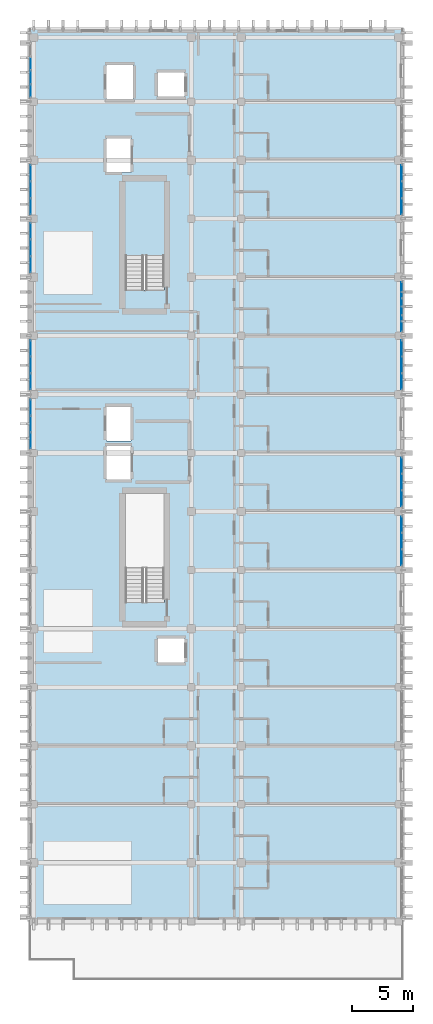
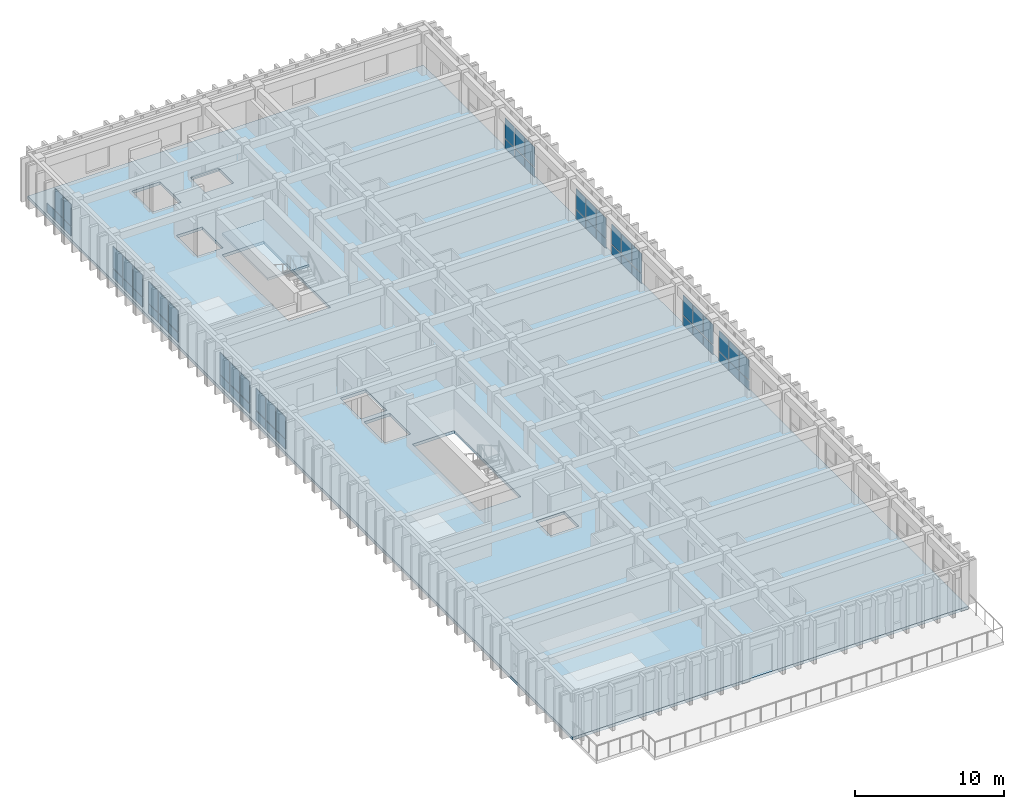
# One storey, part 42 of 53: 59 plates, 2 slabs, 11 elements without a shape of their own.
"""IFC4 building model written with IfcOpenShell, lengths in metres."""

from ifc_helpers import new_model, si_unit, direction, frame, origin, origin_2d, place, context, subcontext, project, spatial, polyline, rectangle, outline, extrude, material, layer, layer_set, type_object, element, aggregate, save


model = new_model("IFC4")

# Units and contexts
model_context = context("Model", 3, precision=1e-05, world=origin(), true_north=direction((0.0, 1.0)))
body_context = subcontext(model_context, "Body", "Model", "MODEL_VIEW")
ifc_project = project(units=[si_unit("LENGTHUNIT", "METRE"), si_unit("AREAUNIT", "SQUARE_METRE"), si_unit("VOLUMEUNIT", "CUBIC_METRE"), si_unit("PLANEANGLEUNIT", "RADIAN"), si_unit("MASSUNIT", "GRAM", prefix="KILO")], contexts=[model_context])

# Site, building, storey
site_placement = place(None, origin())
site = spatial("IfcSite", under=ifc_project, at=site_placement, CompositionType="ELEMENT")
building_placement = place(site_placement, origin())
building = spatial("IfcBuilding", under=site, at=building_placement, Name="Nakhvara Creek Congress Hotel", CompositionType="ELEMENT")
storey_placement = place(building_placement, frame((0.0, 0.0, 35.39990234375)))
storey = spatial("IfcBuildingStorey", under=building, at=storey_placement, Name="L08", CompositionType="ELEMENT", Elevation=35.39990234375)

# Curtain wall, plates
ifc_material_1 = material(Name="Bronze-anodised aluminium AW-6063-T6 and double-silver low-E glass", Category="aluminium")
ifc_layer_1 = layer(ifc_material_1, 0.199951171875)
ifc_layer_set_1 = layer_set([ifc_layer_1], Name="Bronze-anodised aluminium AW-6063-T6 and double-silver low-E glass")
curtain_wall_type = type_object("IfcCurtainWallType", Name="CW-HTL-UNIT", PredefinedType="USERDEFINED", material=ifc_layer_set_1)
curtain_wall_1_placement = place(storey_placement, origin())
curtain_wall_1 = element("IfcCurtainWall", 1, at=curtain_wall_1_placement, inside=storey, type_object=curtain_wall_type, Name="Curtain Wall CW283", ObjectType="UNITISED", PredefinedType="USERDEFINED")
ifc_material_2 = material(Name="Double-silver solar-control low-E insulated glass", Category="glass")
plate_type_1 = type_object("IfcPlateType", Name="PNL-GLZ-120X250", PredefinedType="CURTAIN_PANEL", material=ifc_material_2)
plate_1_placement = place(storey_placement, frame((179.60009765625, 85.34033203125, 0.065185546875), z_axis=(0.0, 0.0, 1.0), x_axis=(0.0, -1.0, 0.0)))
plate_1 = element("IfcPlate", 2, at=plate_1_placement, type_object=plate_type_1, Name="CW283 panel 1.1", PredefinedType="CURTAIN_PANEL", context=body_context, shape_type="SweptSolid", body=[
    extrude(rectangle(XDim=1.279052734375, YDim=0.028076171875, at=origin_2d()), origin(), (0.0, 0.0, 1.0), 0.75244140625),
])
plate_2_placement = place(storey_placement, frame((179.60009765625, 85.34033203125, 0.8828125), z_axis=(0.0, 0.0, 1.0), x_axis=(0.0, -1.0, 0.0)))
plate_2 = element("IfcPlate", 3, at=plate_2_placement, type_object=plate_type_1, Name="CW283 panel 1.2", PredefinedType="CURTAIN_PANEL", context=body_context, shape_type="SweptSolid", body=[
    extrude(rectangle(XDim=1.279052734375, YDim=0.028076171875, at=origin_2d()), origin(), (0.0, 0.0, 1.0), 1.654541015625),
])
plate_3_placement = place(storey_placement, frame((179.60009765625, 83.97998046875, 0.065185546875), z_axis=(0.0, 0.0, 1.0), x_axis=(0.0, -1.0, 0.0)))
plate_3 = element("IfcPlate", 4, at=plate_3_placement, type_object=plate_type_1, Name="CW283 panel 2.1", PredefinedType="CURTAIN_PANEL", context=body_context, shape_type="SweptSolid", body=[
    extrude(rectangle(XDim=1.311767578125, YDim=0.028076171875, at=origin_2d()), origin(), (0.0, 0.0, 1.0), 0.75244140625),
])
plate_4_placement = place(storey_placement, frame((179.60009765625, 83.97998046875, 0.8828125), z_axis=(0.0, 0.0, 1.0), x_axis=(0.0, -1.0, 0.0)))
plate_4 = element("IfcPlate", 5, at=plate_4_placement, type_object=plate_type_1, Name="CW283 panel 2.2", PredefinedType="CURTAIN_PANEL", context=body_context, shape_type="SweptSolid", body=[
    extrude(rectangle(XDim=1.311767578125, YDim=0.028076171875, at=origin_2d()), origin(), (0.0, 0.0, 1.0), 1.654541015625),
])
plate_5_placement = place(storey_placement, frame((179.60009765625, 82.61962890625, 0.065185546875), z_axis=(0.0, 0.0, 1.0), x_axis=(0.0, -1.0, 0.0)))
plate_5 = element("IfcPlate", 6, at=plate_5_placement, type_object=plate_type_1, Name="CW283 panel 3.1", PredefinedType="CURTAIN_PANEL", context=body_context, shape_type="SweptSolid", body=[
    extrude(rectangle(XDim=1.279052734375, YDim=0.028076171875, at=origin_2d()), origin(), (0.0, 0.0, 1.0), 0.75244140625),
])
plate_6_placement = place(storey_placement, frame((179.60009765625, 82.61962890625, 0.8828125), z_axis=(0.0, 0.0, 1.0), x_axis=(0.0, -1.0, 0.0)))
plate_6 = element("IfcPlate", 7, at=plate_6_placement, type_object=plate_type_1, Name="CW283 panel 3.2", PredefinedType="CURTAIN_PANEL", context=body_context, shape_type="SweptSolid", body=[
    extrude(rectangle(XDim=1.279052734375, YDim=0.028076171875, at=origin_2d()), origin(), (0.0, 0.0, 1.0), 1.654541015625),
])
aggregate(curtain_wall_1, [plate_1, plate_2, plate_3, plate_4, plate_5, plate_6])

curtain_wall_2_placement = place(storey_placement, origin())
curtain_wall_2 = element("IfcCurtainWall", 8, at=curtain_wall_2_placement, inside=storey, type_object=curtain_wall_type, Name="Curtain Wall CW285", ObjectType="UNITISED", PredefinedType="USERDEFINED")
plate_7_placement = place(storey_placement, frame((179.60009765625, 90.180419921875, 0.065185546875), z_axis=(0.0, 0.0, 1.0), x_axis=(0.0, -1.0, 0.0)))
plate_7 = element("IfcPlate", 9, at=plate_7_placement, type_object=plate_type_1, Name="CW285 panel 1.1", PredefinedType="CURTAIN_PANEL", context=body_context, shape_type="SweptSolid", body=[
    extrude(rectangle(XDim=1.279052734375, YDim=0.028076171875, at=origin_2d()), origin(), (0.0, 0.0, 1.0), 0.75244140625),
])
plate_8_placement = place(storey_placement, frame((179.60009765625, 90.180419921875, 0.8828125), z_axis=(0.0, 0.0, 1.0), x_axis=(0.0, -1.0, 0.0)))
plate_8 = element("IfcPlate", 10, at=plate_8_placement, type_object=plate_type_1, Name="CW285 panel 1.2", PredefinedType="CURTAIN_PANEL", context=body_context, shape_type="SweptSolid", body=[
    extrude(rectangle(XDim=1.279052734375, YDim=0.028076171875, at=origin_2d()), origin(), (0.0, 0.0, 1.0), 1.654541015625),
])
plate_9_placement = place(storey_placement, frame((179.60009765625, 88.820068359375, 0.065185546875), z_axis=(0.0, 0.0, 1.0), x_axis=(0.0, -1.0, 0.0)))
plate_9 = element("IfcPlate", 11, at=plate_9_placement, type_object=plate_type_1, Name="CW285 panel 2.1", PredefinedType="CURTAIN_PANEL", context=body_context, shape_type="SweptSolid", body=[
    extrude(rectangle(XDim=1.311767578125, YDim=0.028076171875, at=origin_2d()), origin(), (0.0, 0.0, 1.0), 0.75244140625),
])
plate_10_placement = place(storey_placement, frame((179.60009765625, 88.820068359375, 0.8828125), z_axis=(0.0, 0.0, 1.0), x_axis=(0.0, -1.0, 0.0)))
plate_10 = element("IfcPlate", 12, at=plate_10_placement, type_object=plate_type_1, Name="CW285 panel 2.2", PredefinedType="CURTAIN_PANEL", context=body_context, shape_type="SweptSolid", body=[
    extrude(rectangle(XDim=1.311767578125, YDim=0.028076171875, at=origin_2d()), origin(), (0.0, 0.0, 1.0), 1.654541015625),
])
plate_11_placement = place(storey_placement, frame((179.60009765625, 87.45947265625, 0.065185546875), z_axis=(0.0, 0.0, 1.0), x_axis=(0.0, -1.0, 0.0)))
plate_11 = element("IfcPlate", 13, at=plate_11_placement, type_object=plate_type_1, Name="CW285 panel 3.1", PredefinedType="CURTAIN_PANEL", context=body_context, shape_type="SweptSolid", body=[
    extrude(rectangle(XDim=1.279052734375, YDim=0.028076171875, at=origin_2d()), origin(), (0.0, 0.0, 1.0), 0.75244140625),
])
plate_12_placement = place(storey_placement, frame((179.60009765625, 87.45947265625, 0.8828125), z_axis=(0.0, 0.0, 1.0), x_axis=(0.0, -1.0, 0.0)))
plate_12 = element("IfcPlate", 14, at=plate_12_placement, type_object=plate_type_1, Name="CW285 panel 3.2", PredefinedType="CURTAIN_PANEL", context=body_context, shape_type="SweptSolid", body=[
    extrude(rectangle(XDim=1.279052734375, YDim=0.028076171875, at=origin_2d()), origin(), (0.0, 0.0, 1.0), 1.654541015625),
])
aggregate(curtain_wall_2, [plate_7, plate_8, plate_9, plate_10, plate_11, plate_12])

curtain_wall_3_placement = place(storey_placement, origin())
curtain_wall_3 = element("IfcCurtainWall", 15, at=curtain_wall_3_placement, inside=storey, type_object=curtain_wall_type, Name="Curtain Wall CW286", ObjectType="UNITISED", PredefinedType="USERDEFINED")
plate_13_placement = place(storey_placement, frame((149.199951171875, 92.219482421875, 0.065185546875), z_axis=(0.0, 0.0, 1.0), x_axis=(0.0, 1.0, 0.0)))
plate_13 = element("IfcPlate", 16, at=plate_13_placement, type_object=plate_type_1, Name="CW286 panel 1.1", PredefinedType="CURTAIN_PANEL", context=body_context, shape_type="SweptSolid", body=[
    extrude(rectangle(XDim=1.279052734375, YDim=0.028076171875, at=origin_2d()), origin(), (0.0, 0.0, 1.0), 0.75244140625),
])
plate_14_placement = place(storey_placement, frame((149.199951171875, 92.219482421875, 0.8828125), z_axis=(0.0, 0.0, 1.0), x_axis=(0.0, 1.0, 0.0)))
plate_14 = element("IfcPlate", 17, at=plate_14_placement, type_object=plate_type_1, Name="CW286 panel 1.2", PredefinedType="CURTAIN_PANEL", context=body_context, shape_type="SweptSolid", body=[
    extrude(rectangle(XDim=1.279052734375, YDim=0.028076171875, at=origin_2d()), origin(), (0.0, 0.0, 1.0), 1.784423828125),
])
plate_15_placement = place(storey_placement, frame((149.199951171875, 93.580078125, 0.065185546875), z_axis=(0.0, 0.0, 1.0), x_axis=(0.0, 1.0, 0.0)))
plate_15 = element("IfcPlate", 18, at=plate_15_placement, type_object=plate_type_1, Name="CW286 panel 2.1", PredefinedType="CURTAIN_PANEL", context=body_context, shape_type="SweptSolid", body=[
    extrude(rectangle(XDim=1.311767578125, YDim=0.028076171875, at=origin_2d()), origin(), (0.0, 0.0, 1.0), 0.75244140625),
])
plate_16_placement = place(storey_placement, frame((149.199951171875, 93.580078125, 0.8828125), z_axis=(0.0, 0.0, 1.0), x_axis=(0.0, 1.0, 0.0)))
plate_16 = element("IfcPlate", 19, at=plate_16_placement, type_object=plate_type_1, Name="CW286 panel 2.2", PredefinedType="CURTAIN_PANEL", context=body_context, shape_type="SweptSolid", body=[
    extrude(rectangle(XDim=1.311767578125, YDim=0.028076171875, at=origin_2d()), origin(), (0.0, 0.0, 1.0), 1.784423828125),
])
plate_17_placement = place(storey_placement, frame((149.199951171875, 94.9404296875, 0.065185546875), z_axis=(0.0, 0.0, 1.0), x_axis=(0.0, 1.0, 0.0)))
plate_17 = element("IfcPlate", 20, at=plate_17_placement, type_object=plate_type_1, Name="CW286 panel 3.1", PredefinedType="CURTAIN_PANEL", context=body_context, shape_type="SweptSolid", body=[
    extrude(rectangle(XDim=1.279052734375, YDim=0.028076171875, at=origin_2d()), origin(), (0.0, 0.0, 1.0), 0.75244140625),
])
plate_18_placement = place(storey_placement, frame((149.199951171875, 94.9404296875, 0.8828125), z_axis=(0.0, 0.0, 1.0), x_axis=(0.0, 1.0, 0.0)))
plate_18 = element("IfcPlate", 21, at=plate_18_placement, type_object=plate_type_1, Name="CW286 panel 3.2", PredefinedType="CURTAIN_PANEL", context=body_context, shape_type="SweptSolid", body=[
    extrude(rectangle(XDim=1.279052734375, YDim=0.028076171875, at=origin_2d()), origin(), (0.0, 0.0, 1.0), 1.784423828125),
])
aggregate(curtain_wall_3, [plate_13, plate_14, plate_15, plate_16, plate_17, plate_18])

curtain_wall_4_placement = place(storey_placement, origin())
curtain_wall_4 = element("IfcCurtainWall", 22, at=curtain_wall_4_placement, inside=storey, type_object=curtain_wall_type, Name="Curtain Wall CW287", ObjectType="UNITISED", PredefinedType="USERDEFINED")
plate_19_placement = place(storey_placement, frame((179.60009765625, 99.780517578125, 0.065185546875), z_axis=(0.0, 0.0, 1.0), x_axis=(0.0, -1.0, 0.0)))
plate_19 = element("IfcPlate", 23, at=plate_19_placement, type_object=plate_type_1, Name="CW287 panel 1.1", PredefinedType="CURTAIN_PANEL", context=body_context, shape_type="SweptSolid", body=[
    extrude(rectangle(XDim=1.279052734375, YDim=0.028076171875, at=origin_2d()), origin(), (0.0, 0.0, 1.0), 0.75244140625),
])
plate_20_placement = place(storey_placement, frame((179.60009765625, 99.780517578125, 0.8828125), z_axis=(0.0, 0.0, 1.0), x_axis=(0.0, -1.0, 0.0)))
plate_20 = element("IfcPlate", 24, at=plate_20_placement, type_object=plate_type_1, Name="CW287 panel 1.2", PredefinedType="CURTAIN_PANEL", context=body_context, shape_type="SweptSolid", body=[
    extrude(rectangle(XDim=1.279052734375, YDim=0.028076171875, at=origin_2d()), origin(), (0.0, 0.0, 1.0), 1.654541015625),
])
plate_21_placement = place(storey_placement, frame((179.60009765625, 98.419921875, 0.065185546875), z_axis=(0.0, 0.0, 1.0), x_axis=(0.0, -1.0, 0.0)))
plate_21 = element("IfcPlate", 25, at=plate_21_placement, type_object=plate_type_1, Name="CW287 panel 2.1", PredefinedType="CURTAIN_PANEL", context=body_context, shape_type="SweptSolid", body=[
    extrude(rectangle(XDim=1.311767578125, YDim=0.028076171875, at=origin_2d()), origin(), (0.0, 0.0, 1.0), 0.75244140625),
])
plate_22_placement = place(storey_placement, frame((179.60009765625, 98.419921875, 0.8828125), z_axis=(0.0, 0.0, 1.0), x_axis=(0.0, -1.0, 0.0)))
plate_22 = element("IfcPlate", 26, at=plate_22_placement, type_object=plate_type_1, Name="CW287 panel 2.2", PredefinedType="CURTAIN_PANEL", context=body_context, shape_type="SweptSolid", body=[
    extrude(rectangle(XDim=1.311767578125, YDim=0.028076171875, at=origin_2d()), origin(), (0.0, 0.0, 1.0), 1.654541015625),
])
plate_23_placement = place(storey_placement, frame((179.60009765625, 97.0595703125, 0.065185546875), z_axis=(0.0, 0.0, 1.0), x_axis=(0.0, -1.0, 0.0)))
plate_23 = element("IfcPlate", 27, at=plate_23_placement, type_object=plate_type_1, Name="CW287 panel 3.1", PredefinedType="CURTAIN_PANEL", context=body_context, shape_type="SweptSolid", body=[
    extrude(rectangle(XDim=1.279052734375, YDim=0.028076171875, at=origin_2d()), origin(), (0.0, 0.0, 1.0), 0.75244140625),
])
plate_24_placement = place(storey_placement, frame((179.60009765625, 97.0595703125, 0.8828125), z_axis=(0.0, 0.0, 1.0), x_axis=(0.0, -1.0, 0.0)))
plate_24 = element("IfcPlate", 28, at=plate_24_placement, type_object=plate_type_1, Name="CW287 panel 3.2", PredefinedType="CURTAIN_PANEL", context=body_context, shape_type="SweptSolid", body=[
    extrude(rectangle(XDim=1.279052734375, YDim=0.028076171875, at=origin_2d()), origin(), (0.0, 0.0, 1.0), 1.654541015625),
])
aggregate(curtain_wall_4, [plate_19, plate_20, plate_21, plate_22, plate_23, plate_24])

curtain_wall_5_placement = place(storey_placement, origin())
curtain_wall_5 = element("IfcCurtainWall", 29, at=curtain_wall_5_placement, inside=storey, type_object=curtain_wall_type, Name="Curtain Wall CW288", ObjectType="UNITISED", PredefinedType="USERDEFINED")
plate_25_placement = place(storey_placement, frame((149.199951171875, 97.0595703125, 0.065185546875), z_axis=(0.0, 0.0, 1.0), x_axis=(0.0, 1.0, 0.0)))
plate_25 = element("IfcPlate", 30, at=plate_25_placement, type_object=plate_type_1, Name="CW288 panel 1.1", PredefinedType="CURTAIN_PANEL", context=body_context, shape_type="SweptSolid", body=[
    extrude(rectangle(XDim=1.279052734375, YDim=0.028076171875, at=origin_2d()), origin(), (0.0, 0.0, 1.0), 0.75244140625),
])
plate_26_placement = place(storey_placement, frame((149.199951171875, 97.0595703125, 0.8828125), z_axis=(0.0, 0.0, 1.0), x_axis=(0.0, 1.0, 0.0)))
plate_26 = element("IfcPlate", 31, at=plate_26_placement, type_object=plate_type_1, Name="CW288 panel 1.2", PredefinedType="CURTAIN_PANEL", context=body_context, shape_type="SweptSolid", body=[
    extrude(rectangle(XDim=1.279052734375, YDim=0.028076171875, at=origin_2d()), origin(), (0.0, 0.0, 1.0), 1.784423828125),
])
plate_27_placement = place(storey_placement, frame((149.199951171875, 98.419921875, 0.065185546875), z_axis=(0.0, 0.0, 1.0), x_axis=(0.0, 1.0, 0.0)))
plate_27 = element("IfcPlate", 32, at=plate_27_placement, type_object=plate_type_1, Name="CW288 panel 2.1", PredefinedType="CURTAIN_PANEL", context=body_context, shape_type="SweptSolid", body=[
    extrude(rectangle(XDim=1.311767578125, YDim=0.028076171875, at=origin_2d()), origin(), (0.0, 0.0, 1.0), 0.75244140625),
])
plate_28_placement = place(storey_placement, frame((149.199951171875, 98.419921875, 0.8828125), z_axis=(0.0, 0.0, 1.0), x_axis=(0.0, 1.0, 0.0)))
plate_28 = element("IfcPlate", 33, at=plate_28_placement, type_object=plate_type_1, Name="CW288 panel 2.2", PredefinedType="CURTAIN_PANEL", context=body_context, shape_type="SweptSolid", body=[
    extrude(rectangle(XDim=1.311767578125, YDim=0.028076171875, at=origin_2d()), origin(), (0.0, 0.0, 1.0), 1.784423828125),
])
plate_29_placement = place(storey_placement, frame((149.199951171875, 99.780517578125, 0.065185546875), z_axis=(0.0, 0.0, 1.0), x_axis=(0.0, 1.0, 0.0)))
plate_29 = element("IfcPlate", 34, at=plate_29_placement, type_object=plate_type_1, Name="CW288 panel 3.1", PredefinedType="CURTAIN_PANEL", context=body_context, shape_type="SweptSolid", body=[
    extrude(rectangle(XDim=1.279052734375, YDim=0.028076171875, at=origin_2d()), origin(), (0.0, 0.0, 1.0), 0.75244140625),
])
plate_30_placement = place(storey_placement, frame((149.199951171875, 99.780517578125, 0.8828125), z_axis=(0.0, 0.0, 1.0), x_axis=(0.0, 1.0, 0.0)))
plate_30 = element("IfcPlate", 35, at=plate_30_placement, type_object=plate_type_1, Name="CW288 panel 3.2", PredefinedType="CURTAIN_PANEL", context=body_context, shape_type="SweptSolid", body=[
    extrude(rectangle(XDim=1.279052734375, YDim=0.028076171875, at=origin_2d()), origin(), (0.0, 0.0, 1.0), 1.784423828125),
])
aggregate(curtain_wall_5, [plate_25, plate_26, plate_27, plate_28, plate_29, plate_30])

curtain_wall_6_placement = place(storey_placement, origin())
curtain_wall_6 = element("IfcCurtainWall", 36, at=curtain_wall_6_placement, inside=storey, type_object=curtain_wall_type, Name="Curtain Wall CW290", ObjectType="UNITISED", PredefinedType="USERDEFINED")
plate_31_placement = place(storey_placement, frame((149.199951171875, 106.65966796875, 0.065185546875), z_axis=(0.0, 0.0, 1.0), x_axis=(0.0, 1.0, 0.0)))
plate_31 = element("IfcPlate", 37, at=plate_31_placement, type_object=plate_type_1, Name="CW290 panel 1.1", PredefinedType="CURTAIN_PANEL", context=body_context, shape_type="SweptSolid", body=[
    extrude(rectangle(XDim=1.279052734375, YDim=0.028076171875, at=origin_2d()), origin(), (0.0, 0.0, 1.0), 0.75244140625),
])
plate_32_placement = place(storey_placement, frame((149.199951171875, 106.65966796875, 0.8828125), z_axis=(0.0, 0.0, 1.0), x_axis=(0.0, 1.0, 0.0)))
plate_32 = element("IfcPlate", 38, at=plate_32_placement, type_object=plate_type_1, Name="CW290 panel 1.2", PredefinedType="CURTAIN_PANEL", context=body_context, shape_type="SweptSolid", body=[
    extrude(rectangle(XDim=1.279052734375, YDim=0.028076171875, at=origin_2d()), origin(), (0.0, 0.0, 1.0), 1.784423828125),
])
plate_33_placement = place(storey_placement, frame((149.199951171875, 108.02001953125, 0.065185546875), z_axis=(0.0, 0.0, 1.0), x_axis=(0.0, 1.0, 0.0)))
plate_33 = element("IfcPlate", 39, at=plate_33_placement, type_object=plate_type_1, Name="CW290 panel 2.1", PredefinedType="CURTAIN_PANEL", context=body_context, shape_type="SweptSolid", body=[
    extrude(rectangle(XDim=1.311767578125, YDim=0.028076171875, at=origin_2d()), origin(), (0.0, 0.0, 1.0), 0.75244140625),
])
plate_34_placement = place(storey_placement, frame((149.199951171875, 108.02001953125, 0.8828125), z_axis=(0.0, 0.0, 1.0), x_axis=(0.0, 1.0, 0.0)))
plate_34 = element("IfcPlate", 40, at=plate_34_placement, type_object=plate_type_1, Name="CW290 panel 2.2", PredefinedType="CURTAIN_PANEL", context=body_context, shape_type="SweptSolid", body=[
    extrude(rectangle(XDim=1.311767578125, YDim=0.028076171875, at=origin_2d()), origin(), (0.0, 0.0, 1.0), 1.784423828125),
])
plate_35_placement = place(storey_placement, frame((149.199951171875, 109.38037109375, 0.065185546875), z_axis=(0.0, 0.0, 1.0), x_axis=(0.0, 1.0, 0.0)))
plate_35 = element("IfcPlate", 41, at=plate_35_placement, type_object=plate_type_1, Name="CW290 panel 3.1", PredefinedType="CURTAIN_PANEL", context=body_context, shape_type="SweptSolid", body=[
    extrude(rectangle(XDim=1.279052734375, YDim=0.028076171875, at=origin_2d()), origin(), (0.0, 0.0, 1.0), 0.75244140625),
])
plate_36_placement = place(storey_placement, frame((149.199951171875, 109.38037109375, 0.8828125), z_axis=(0.0, 0.0, 1.0), x_axis=(0.0, 1.0, 0.0)))
plate_36 = element("IfcPlate", 42, at=plate_36_placement, type_object=plate_type_1, Name="CW290 panel 3.2", PredefinedType="CURTAIN_PANEL", context=body_context, shape_type="SweptSolid", body=[
    extrude(rectangle(XDim=1.279052734375, YDim=0.028076171875, at=origin_2d()), origin(), (0.0, 0.0, 1.0), 1.784423828125),
])
aggregate(curtain_wall_6, [plate_31, plate_32, plate_33, plate_34, plate_35, plate_36])

curtain_wall_7_placement = place(storey_placement, origin())
curtain_wall_7 = element("IfcCurtainWall", 43, at=curtain_wall_7_placement, inside=storey, type_object=curtain_wall_type, Name="Curtain Wall CW291", ObjectType="UNITISED", PredefinedType="USERDEFINED")
plate_37_placement = place(storey_placement, frame((179.60009765625, 114.140380859375, 0.065185546875), z_axis=(0.0, 0.0, 1.0), x_axis=(0.0, -1.0, 0.0)))
plate_37 = element("IfcPlate", 44, at=plate_37_placement, type_object=plate_type_1, Name="CW291 panel 1.1", PredefinedType="CURTAIN_PANEL", context=body_context, shape_type="SweptSolid", body=[
    extrude(rectangle(XDim=1.279052734375, YDim=0.028076171875, at=origin_2d()), origin(), (0.0, 0.0, 1.0), 0.75244140625),
])
plate_38_placement = place(storey_placement, frame((179.60009765625, 114.140380859375, 0.8828125), z_axis=(0.0, 0.0, 1.0), x_axis=(0.0, -1.0, 0.0)))
plate_38 = element("IfcPlate", 45, at=plate_38_placement, type_object=plate_type_1, Name="CW291 panel 1.2", PredefinedType="CURTAIN_PANEL", context=body_context, shape_type="SweptSolid", body=[
    extrude(rectangle(XDim=1.279052734375, YDim=0.028076171875, at=origin_2d()), origin(), (0.0, 0.0, 1.0), 1.654541015625),
])
plate_39_placement = place(storey_placement, frame((179.60009765625, 112.780029296875, 0.065185546875), z_axis=(0.0, 0.0, 1.0), x_axis=(0.0, -1.0, 0.0)))
plate_39 = element("IfcPlate", 46, at=plate_39_placement, type_object=plate_type_1, Name="CW291 panel 2.1", PredefinedType="CURTAIN_PANEL", context=body_context, shape_type="SweptSolid", body=[
    extrude(rectangle(XDim=1.311767578125, YDim=0.028076171875, at=origin_2d()), origin(), (0.0, 0.0, 1.0), 0.75244140625),
])
plate_40_placement = place(storey_placement, frame((179.60009765625, 112.780029296875, 0.8828125), z_axis=(0.0, 0.0, 1.0), x_axis=(0.0, -1.0, 0.0)))
plate_40 = element("IfcPlate", 47, at=plate_40_placement, type_object=plate_type_1, Name="CW291 panel 2.2", PredefinedType="CURTAIN_PANEL", context=body_context, shape_type="SweptSolid", body=[
    extrude(rectangle(XDim=1.311767578125, YDim=0.028076171875, at=origin_2d()), origin(), (0.0, 0.0, 1.0), 1.654541015625),
])
plate_41_placement = place(storey_placement, frame((179.60009765625, 111.419677734375, 0.065185546875), z_axis=(0.0, 0.0, 1.0), x_axis=(0.0, -1.0, 0.0)))
plate_41 = element("IfcPlate", 48, at=plate_41_placement, type_object=plate_type_1, Name="CW291 panel 3.1", PredefinedType="CURTAIN_PANEL", context=body_context, shape_type="SweptSolid", body=[
    extrude(rectangle(XDim=1.279052734375, YDim=0.028076171875, at=origin_2d()), origin(), (0.0, 0.0, 1.0), 0.75244140625),
])
plate_42_placement = place(storey_placement, frame((179.60009765625, 111.419677734375, 0.8828125), z_axis=(0.0, 0.0, 1.0), x_axis=(0.0, -1.0, 0.0)))
plate_42 = element("IfcPlate", 49, at=plate_42_placement, type_object=plate_type_1, Name="CW291 panel 3.2", PredefinedType="CURTAIN_PANEL", context=body_context, shape_type="SweptSolid", body=[
    extrude(rectangle(XDim=1.279052734375, YDim=0.028076171875, at=origin_2d()), origin(), (0.0, 0.0, 1.0), 1.654541015625),
])
aggregate(curtain_wall_7, [plate_37, plate_38, plate_39, plate_40, plate_41, plate_42])

curtain_wall_8_placement = place(storey_placement, origin())
curtain_wall_8 = element("IfcCurtainWall", 50, at=curtain_wall_8_placement, inside=storey, type_object=curtain_wall_type, Name="Curtain Wall CW292", ObjectType="UNITISED", PredefinedType="USERDEFINED")
plate_43_placement = place(storey_placement, frame((149.199951171875, 111.419677734375, 0.065185546875), z_axis=(0.0, 0.0, 1.0), x_axis=(0.0, 1.0, 0.0)))
plate_43 = element("IfcPlate", 51, at=plate_43_placement, type_object=plate_type_1, Name="CW292 panel 1.1", PredefinedType="CURTAIN_PANEL", context=body_context, shape_type="SweptSolid", body=[
    extrude(rectangle(XDim=1.279052734375, YDim=0.028076171875, at=origin_2d()), origin(), (0.0, 0.0, 1.0), 0.75244140625),
])
plate_44_placement = place(storey_placement, frame((149.199951171875, 111.419677734375, 0.8828125), z_axis=(0.0, 0.0, 1.0), x_axis=(0.0, 1.0, 0.0)))
plate_44 = element("IfcPlate", 52, at=plate_44_placement, type_object=plate_type_1, Name="CW292 panel 1.2", PredefinedType="CURTAIN_PANEL", context=body_context, shape_type="SweptSolid", body=[
    extrude(rectangle(XDim=1.279052734375, YDim=0.028076171875, at=origin_2d()), origin(), (0.0, 0.0, 1.0), 1.784423828125),
])
plate_45_placement = place(storey_placement, frame((149.199951171875, 112.780029296875, 0.065185546875), z_axis=(0.0, 0.0, 1.0), x_axis=(0.0, 1.0, 0.0)))
plate_45 = element("IfcPlate", 53, at=plate_45_placement, type_object=plate_type_1, Name="CW292 panel 2.1", PredefinedType="CURTAIN_PANEL", context=body_context, shape_type="SweptSolid", body=[
    extrude(rectangle(XDim=1.311767578125, YDim=0.028076171875, at=origin_2d()), origin(), (0.0, 0.0, 1.0), 0.75244140625),
])
plate_46_placement = place(storey_placement, frame((149.199951171875, 112.780029296875, 0.8828125), z_axis=(0.0, 0.0, 1.0), x_axis=(0.0, 1.0, 0.0)))
plate_46 = element("IfcPlate", 54, at=plate_46_placement, type_object=plate_type_1, Name="CW292 panel 2.2", PredefinedType="CURTAIN_PANEL", context=body_context, shape_type="SweptSolid", body=[
    extrude(rectangle(XDim=1.311767578125, YDim=0.028076171875, at=origin_2d()), origin(), (0.0, 0.0, 1.0), 1.784423828125),
])
plate_47_placement = place(storey_placement, frame((149.199951171875, 114.140380859375, 0.065185546875), z_axis=(0.0, 0.0, 1.0), x_axis=(0.0, 1.0, 0.0)))
plate_47 = element("IfcPlate", 55, at=plate_47_placement, type_object=plate_type_1, Name="CW292 panel 3.1", PredefinedType="CURTAIN_PANEL", context=body_context, shape_type="SweptSolid", body=[
    extrude(rectangle(XDim=1.279052734375, YDim=0.028076171875, at=origin_2d()), origin(), (0.0, 0.0, 1.0), 0.75244140625),
])
plate_48_placement = place(storey_placement, frame((149.199951171875, 114.140380859375, 0.8828125), z_axis=(0.0, 0.0, 1.0), x_axis=(0.0, 1.0, 0.0)))
plate_48 = element("IfcPlate", 56, at=plate_48_placement, type_object=plate_type_1, Name="CW292 panel 3.2", PredefinedType="CURTAIN_PANEL", context=body_context, shape_type="SweptSolid", body=[
    extrude(rectangle(XDim=1.279052734375, YDim=0.028076171875, at=origin_2d()), origin(), (0.0, 0.0, 1.0), 1.784423828125),
])
aggregate(curtain_wall_8, [plate_43, plate_44, plate_45, plate_46, plate_47, plate_48])

curtain_wall_9_placement = place(storey_placement, origin())
curtain_wall_9 = element("IfcCurtainWall", 57, at=curtain_wall_9_placement, inside=storey, type_object=curtain_wall_type, Name="Curtain Wall CW294", ObjectType="UNITISED", PredefinedType="USERDEFINED")
plate_49_placement = place(storey_placement, frame((149.199951171875, 120.891845703125, 0.065185546875), z_axis=(0.0, 0.0, 1.0), x_axis=(0.0, 1.0, 0.0)))
plate_49 = element("IfcPlate", 58, at=plate_49_placement, type_object=plate_type_1, Name="CW294 panel 1.1", PredefinedType="CURTAIN_PANEL", context=body_context, shape_type="SweptSolid", body=[
    extrude(rectangle(XDim=1.023681640625, YDim=0.028076171875, at=origin_2d()), origin(), (0.0, 0.0, 1.0), 0.75244140625),
])
plate_50_placement = place(storey_placement, frame((149.199951171875, 120.891845703125, 0.8828125), z_axis=(0.0, 0.0, 1.0), x_axis=(0.0, 1.0, 0.0)))
plate_50 = element("IfcPlate", 59, at=plate_50_placement, type_object=plate_type_1, Name="CW294 panel 1.2", PredefinedType="CURTAIN_PANEL", context=body_context, shape_type="SweptSolid", body=[
    extrude(rectangle(XDim=1.023681640625, YDim=0.028076171875, at=origin_2d()), origin(), (0.0, 0.0, 1.0), 1.784423828125),
])
plate_51_placement = place(storey_placement, frame((149.199951171875, 121.996826171875, 0.065185546875), z_axis=(0.0, 0.0, 1.0), x_axis=(0.0, 1.0, 0.0)))
plate_51 = element("IfcPlate", 60, at=plate_51_placement, type_object=plate_type_1, Name="CW294 panel 2.1", PredefinedType="CURTAIN_PANEL", context=body_context, shape_type="SweptSolid", body=[
    extrude(rectangle(XDim=1.05615234375, YDim=0.028076171875, at=origin_2d()), origin(), (0.0, 0.0, 1.0), 0.75244140625),
])
plate_52_placement = place(storey_placement, frame((149.199951171875, 121.996826171875, 0.8828125), z_axis=(0.0, 0.0, 1.0), x_axis=(0.0, 1.0, 0.0)))
plate_52 = element("IfcPlate", 61, at=plate_52_placement, type_object=plate_type_1, Name="CW294 panel 2.2", PredefinedType="CURTAIN_PANEL", context=body_context, shape_type="SweptSolid", body=[
    extrude(rectangle(XDim=1.05615234375, YDim=0.028076171875, at=origin_2d()), origin(), (0.0, 0.0, 1.0), 1.784423828125),
])
plate_53_placement = place(storey_placement, frame((149.199951171875, 123.1181640625, 0.065185546875), z_axis=(0.0, 0.0, 1.0), x_axis=(0.0, 1.0, 0.0)))
plate_53 = element("IfcPlate", 62, at=plate_53_placement, type_object=plate_type_1, Name="CW294 panel 3.1", PredefinedType="CURTAIN_PANEL", context=body_context, shape_type="SweptSolid", body=[
    extrude(rectangle(XDim=1.05615234375, YDim=0.028076171875, at=origin_2d()), origin(), (0.0, 0.0, 1.0), 0.75244140625),
])
aggregate(curtain_wall_9, [plate_49, plate_50, plate_51, plate_52, plate_53])

curtain_wall_10_placement = place(storey_placement, origin())
curtain_wall_10 = element("IfcCurtainWall", 63, at=curtain_wall_10_placement, inside=storey, type_object=curtain_wall_type, Name="Curtain Wall CW289", ObjectType="UNITISED", PredefinedType="USERDEFINED")
ifc_material_3 = material(Name="Back-insulated bronze spandrel glass panel", Category="glass")
plate_type_2 = type_object("IfcPlateType", Name="PNL-SPN-120X080", PredefinedType="CURTAIN_PANEL", material=ifc_material_3)
plate_54_placement = place(storey_placement, frame((179.60009765625, 104.54052734375, 0.065185546875), z_axis=(0.0, 0.0, 1.0), x_axis=(0.0, -1.0, 0.0)))
plate_54 = element("IfcPlate", 64, at=plate_54_placement, type_object=plate_type_2, Name="CW289 panel 1.1", PredefinedType="CURTAIN_PANEL", context=body_context, shape_type="SweptSolid", body=[
    extrude(rectangle(XDim=1.279052734375, YDim=0.0419921875, at=origin_2d()), origin(), (0.0, 0.0, 1.0), 0.75244140625),
])
plate_55_placement = place(storey_placement, frame((179.60009765625, 104.54052734375, 0.8828125), z_axis=(0.0, 0.0, 1.0), x_axis=(0.0, -1.0, 0.0)))
plate_55 = element("IfcPlate", 65, at=plate_55_placement, type_object=plate_type_2, Name="CW289 panel 1.2", PredefinedType="CURTAIN_PANEL", context=body_context, shape_type="SweptSolid", body=[
    extrude(rectangle(XDim=1.279052734375, YDim=0.0419921875, at=origin_2d()), origin(), (0.0, 0.0, 1.0), 1.654541015625),
])
plate_56_placement = place(storey_placement, frame((179.60009765625, 103.179931640625, 0.065185546875), z_axis=(0.0, 0.0, 1.0), x_axis=(0.0, -1.0, 0.0)))
plate_56 = element("IfcPlate", 66, at=plate_56_placement, type_object=plate_type_2, Name="CW289 panel 2.1", PredefinedType="CURTAIN_PANEL", context=body_context, shape_type="SweptSolid", body=[
    extrude(rectangle(XDim=1.311767578125, YDim=0.0419921875, at=origin_2d()), origin(), (0.0, 0.0, 1.0), 0.75244140625),
])
plate_57_placement = place(storey_placement, frame((179.60009765625, 103.179931640625, 0.8828125), z_axis=(0.0, 0.0, 1.0), x_axis=(0.0, -1.0, 0.0)))
plate_57 = element("IfcPlate", 67, at=plate_57_placement, type_object=plate_type_2, Name="CW289 panel 2.2", PredefinedType="CURTAIN_PANEL", context=body_context, shape_type="SweptSolid", body=[
    extrude(rectangle(XDim=1.311767578125, YDim=0.0419921875, at=origin_2d()), origin(), (0.0, 0.0, 1.0), 1.654541015625),
])
plate_58_placement = place(storey_placement, frame((179.60009765625, 101.819580078125, 0.065185546875), z_axis=(0.0, 0.0, 1.0), x_axis=(0.0, -1.0, 0.0)))
plate_58 = element("IfcPlate", 68, at=plate_58_placement, type_object=plate_type_2, Name="CW289 panel 3.1", PredefinedType="CURTAIN_PANEL", context=body_context, shape_type="SweptSolid", body=[
    extrude(rectangle(XDim=1.279052734375, YDim=0.0419921875, at=origin_2d()), origin(), (0.0, 0.0, 1.0), 0.75244140625),
])
plate_59_placement = place(storey_placement, frame((179.60009765625, 101.819580078125, 0.8828125), z_axis=(0.0, 0.0, 1.0), x_axis=(0.0, -1.0, 0.0)))
plate_59 = element("IfcPlate", 69, at=plate_59_placement, type_object=plate_type_2, Name="CW289 panel 3.2", PredefinedType="CURTAIN_PANEL", context=body_context, shape_type="SweptSolid", body=[
    extrude(rectangle(XDim=1.279052734375, YDim=0.0419921875, at=origin_2d()), origin(), (0.0, 0.0, 1.0), 1.654541015625),
])
aggregate(curtain_wall_10, [plate_54, plate_55, plate_56, plate_57, plate_58, plate_59])

# Slab
ifc_material_4 = material(Name="Concrete C40/50", Category="concrete")
ifc_layer_2 = layer(ifc_material_4, 0.239990234375)
ifc_layer_set_2 = layer_set([ifc_layer_2], Name="Concrete C40/50")
slab_type_1 = type_object("IfcSlabType", Name="SL-FLR-240", PredefinedType="FLOOR", material=ifc_layer_set_2)
slab_1_placement = place(storey_placement, frame((0.0, 0.0, -0.239990234375)))
element("IfcSlab", 70, at=slab_1_placement, inside=storey, type_object=slab_type_1, Name="Structural Slab SLB-L08-V5", PredefinedType="FLOOR", context=body_context, shape_type="SweptSolid", body=[
    extrude(outline(polyline([(149.050048828125, 126.0), (179.75, 126.0), (179.75, 52.800048828125), (149.050048828125, 52.800048828125), (149.050048828125, 126.0)]), holes=[polyline([(161.800048828125, 74.0), (161.800048828125, 76.0), (159.60009765625, 76.0), (159.60009765625, 74.0), (161.800048828125, 74.0)]), polyline([(160.14990234375, 87.89990234375), (156.919921875, 87.89990234375), (156.919921875, 78.93994140625), (160.14990234375, 78.93994140625), (160.14990234375, 87.89990234375)]), polyline([(157.39990234375, 89.0), (157.39990234375, 91.800048828125), (155.39990234375, 91.800048828125), (155.39990234375, 89.0), (157.39990234375, 89.0)]), polyline([(157.39990234375, 92.199951171875), (157.39990234375, 95.0), (155.39990234375, 95.0), (155.39990234375, 92.199951171875), (157.39990234375, 92.199951171875)]), polyline([(160.14990234375, 113.5), (156.919921875, 113.5), (156.919921875, 104.5400390625), (160.14990234375, 104.5400390625), (160.14990234375, 113.5)]), polyline([(157.39990234375, 114.199951171875), (157.39990234375, 117.0), (155.39990234375, 117.0), (155.39990234375, 114.199951171875), (157.39990234375, 114.199951171875)]), polyline([(161.800048828125, 120.39990234375), (161.800048828125, 122.39990234375), (159.60009765625, 122.39990234375), (159.60009765625, 120.39990234375), (161.800048828125, 120.39990234375)]), polyline([(157.60009765625, 120.199951171875), (157.60009765625, 123.0), (155.39990234375, 123.0), (155.39990234375, 120.199951171875), (157.60009765625, 120.199951171875)])]), origin(), (0.0, 0.0, 1.0), 0.239990234375),
])

# Stair, slab
stair_type = type_object("IfcStairType", Name="ST-CORE-160", PredefinedType="HALF_TURN_STAIR", material=ifc_material_4)
stair_placement = place(storey_placement, origin())
stair = element("IfcStair", 71, at=stair_placement, inside=storey, type_object=stair_type, Name="L08 Protected Exit Stair ST02", PredefinedType="HALF_TURN_STAIR")
ifc_layer_3 = layer(ifc_material_4, 0.199951171875)
ifc_layer_set_3 = layer_set([ifc_layer_3], Name="Concrete C40/50")
slab_type_2 = type_object("IfcSlabType", Name="SL-LAND-200", PredefinedType="LANDING", material=ifc_layer_set_3)
slab_2_placement = place(storey_placement, frame((0.0, 0.0, 1.60009765625)))
slab_2 = element("IfcSlab", 72, at=slab_2_placement, type_object=slab_type_2, Name="ST02 landing 1", PredefinedType="LANDING", context=body_context, shape_type="SweptSolid", body=[
    extrude(outline(polyline([(160.14990234375, 107.375), (160.14990234375, 113.5), (156.919921875, 113.5), (156.919921875, 107.375), (160.14990234375, 107.375)])), origin(), (0.0, 0.0, 1.0), 0.199951171875),
])
aggregate(stair, [slab_2])

save(model, "model.ifc")
